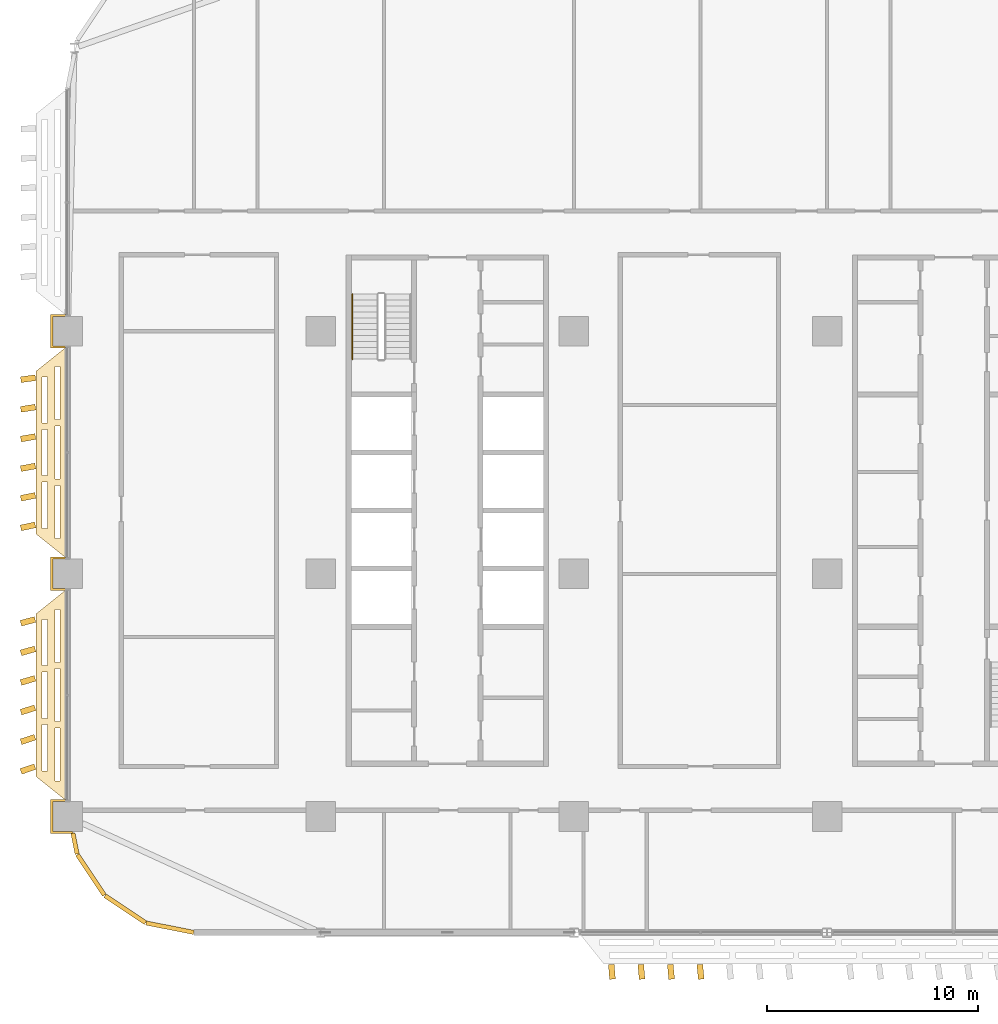
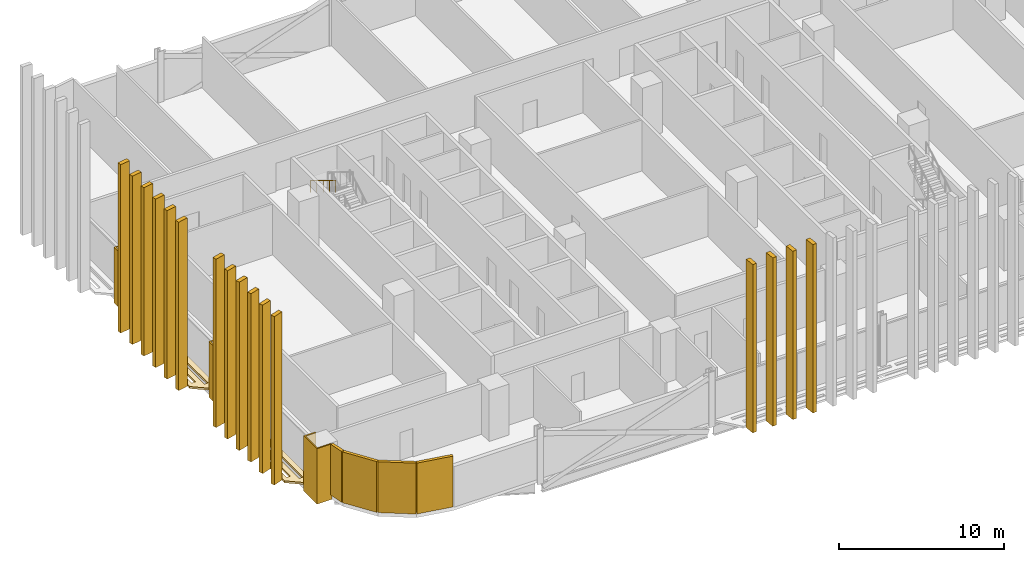
# One storey, part 23 of 31: 25 coverings, 1 railing.
"""IFC4 building model written with IfcOpenShell, lengths in metres."""

from ifc_helpers import new_model, si_unit, direction, frame, origin, origin_2d, place, context, subcontext, project, spatial, polyline, rectangle, circle, outline, extrude, material, layer, layer_set, type_object, element, save


model = new_model("IFC4")

# Units and contexts
model_context = context("Model", 3, precision=1e-05, world=origin(), true_north=direction((0.0, 1.0)))
body_context = subcontext(model_context, "Body", "Model", "MODEL_VIEW")
ifc_project = project(units=[si_unit("LENGTHUNIT", "METRE"), si_unit("AREAUNIT", "SQUARE_METRE"), si_unit("VOLUMEUNIT", "CUBIC_METRE"), si_unit("PLANEANGLEUNIT", "RADIAN"), si_unit("MASSUNIT", "GRAM", prefix="KILO")], contexts=[model_context])

# Site, building, storey
site_placement = place(None, origin())
site = spatial("IfcSite", under=ifc_project, at=site_placement, CompositionType="ELEMENT")
building_placement = place(site_placement, origin())
building = spatial("IfcBuilding", under=site, at=building_placement, Name="Mahtab Terrace Research Tower", CompositionType="ELEMENT")
storey_placement = place(building_placement, frame((0.0, 0.0, 101.199951171875)))
storey = spatial("IfcBuildingStorey", under=building, at=storey_placement, Name="L23", CompositionType="ELEMENT", Elevation=101.199951171875)

# Coverings
ifc_material_1 = material(Name="Black aluminium cladding panel", Category="aluminium")
ifc_layer_1 = layer(ifc_material_1, 0.199951171875)
ifc_layer_set_1 = layer_set([ifc_layer_1], Name="Black metal corner cladding 200")
covering_type_1 = type_object("IfcCoveringType", Name="Black metal corner cladding 200", PredefinedType="CLADDING", material=ifc_layer_set_1)
covering_1_placement = place(storey_placement, frame((-41.645263671875, -12.782470703125, 0.0), z_axis=(0.0, 0.0, 1.0), x_axis=(0.195212442692, -0.980760981187, 0.0)))
element("IfcCovering", 1, at=covering_1_placement, inside=storey, type_object=covering_type_1, Name="Corner cladding L23 19", PredefinedType="CLADDING", context=body_context, shape_type="SweptSolid", body=[
    extrude(rectangle(XDim=1.007568359375, YDim=0.199951171875, at=origin_2d()), origin(), (0.0, 0.0, 1.0), 3.760009765625),
])
for number, where, z_axis, x_axis, name in (
    (2, (-40.89306640625, -14.26953125, 0.0), (0.0, 0.0, 1.0), (0.555291490808, -0.831655794326, 0.0), "Corner cladding L23 20"),
    (3, (-39.26953125, -15.89306640625, 0.0), (0.0, 0.0, 1.0), (0.831655794326, -0.555291490808, 0.0), "Corner cladding L23 21"),
    (4, (-37.14794921875, -16.771484375, 0.0), (0.0, 0.0, 1.0), (0.980760981187, -0.195212442692, 0.0), "Corner cladding L23 22"),
):
    element("IfcCovering", number, at=place(storey_placement, frame(where, z_axis=z_axis, x_axis=x_axis)), inside=storey, type_object=covering_type_1, Name=name, PredefinedType="CLADDING", context=body_context, shape_type="SweptSolid", body=[
        extrude(rectangle(XDim=2.30126953125, YDim=0.199951171875, at=origin_2d()), origin(), (0.0, 0.0, 1.0), 3.760009765625),
    ])
ifc_material_2 = material(Name="Dark anodised aluminium cladding", Category="aluminium")
ifc_layer_2 = layer(ifc_material_2, 0.10009765625)
ifc_layer_set_2 = layer_set([ifc_layer_2], Name="Column casing 100")
covering_type_2 = type_object("IfcCoveringType", Name="Column casing 100", PredefinedType="CLADDING", material=ifc_layer_set_2)
covering_2_placement = place(storey_placement, frame((0.0, 0.0, -0.33984375)))
element("IfcCovering", 5, at=covering_2_placement, inside=storey, type_object=covering_type_2, Name="Column casing RC-1A L23", PredefinedType="CLADDING", context=body_context, shape_type="SweptSolid", body=[
    extrude(outline(polyline([(-42.800048828125, -10.699951171875), (-42.0, -10.699951171875), (-42.0, -10.800048828125), (-42.699951171875, -10.800048828125), (-42.699951171875, -12.199951171875), (-41.760986328125, -12.199951171875), (-41.740966796875, -12.300048828125), (-42.800048828125, -12.300048828125), (-42.800048828125, -10.699951171875)])), origin(), (0.0, 0.0, 1.0), 4.099853515625),
])
covering_3_placement = place(storey_placement, frame((0.0, 0.0, -0.33984375)))
element("IfcCovering", 6, at=covering_3_placement, inside=storey, type_object=covering_type_2, Name="Column casing RC-1B L23", PredefinedType="CLADDING", context=body_context, shape_type="SweptSolid", body=[
    extrude(outline(polyline([(-42.800048828125, 0.800048828125), (-42.0, 0.800048828125), (-42.0, 0.699951171875), (-42.699951171875, 0.699951171875), (-42.699951171875, -0.699951171875), (-42.0, -0.699951171875), (-42.0, -0.800048828125), (-42.800048828125, -0.800048828125), (-42.800048828125, 0.800048828125)])), origin(), (0.0, 0.0, 1.0), 4.099853515625),
])
covering_4_placement = place(storey_placement, frame((0.0, 0.0, -0.33984375)))
element("IfcCovering", 7, at=covering_4_placement, inside=storey, type_object=covering_type_2, Name="Column casing RC-1C L23", PredefinedType="CLADDING", context=body_context, shape_type="SweptSolid", body=[
    extrude(outline(polyline([(-42.800048828125, 12.300048828125), (-42.0, 12.300048828125), (-42.0, 12.199951171875), (-42.699951171875, 12.199951171875), (-42.699951171875, 10.800048828125), (-42.0, 10.800048828125), (-42.0, 10.699951171875), (-42.800048828125, 10.699951171875), (-42.800048828125, 12.300048828125)])), origin(), (0.0, 0.0, 1.0), 4.099853515625),
])
ifc_material_3 = material(Name="Black anodised aluminium", Category="aluminium")
ifc_layer_3 = layer(ifc_material_3, 0.14990234375)
ifc_layer_set_3 = layer_set([ifc_layer_3], Name="Horizontal sunshade band")
covering_type_3 = type_object("IfcCoveringType", Name="Horizontal sunshade band", PredefinedType="CLADDING", material=ifc_layer_set_3)
covering_5_placement = place(storey_placement, frame((0.0, 0.0, -0.14990234375)))
element("IfcCovering", 8, at=covering_5_placement, inside=storey, type_object=covering_type_3, Name="Sunshade band L23 17", PredefinedType="CLADDING", context=body_context, shape_type="SweptSolid", body=[
    extrude(outline(polyline([(-42.0, 10.800048828125), (-42.0, 0.699951171875), (-43.5, 1.89990234375), (-43.5, 9.60009765625), (-42.0, 10.800048828125)]), holes=[polyline([(-42.35009765625, 9.820068359375), (-42.35009765625, 7.306884765625), (-42.60009765625, 7.306884765625), (-42.60009765625, 9.820068359375), (-42.35009765625, 9.820068359375)]), polyline([(-42.35009765625, 7.007080078125), (-42.35009765625, 4.492919921875), (-42.60009765625, 4.492919921875), (-42.60009765625, 7.007080078125), (-42.35009765625, 7.007080078125)]), polyline([(-42.35009765625, 4.193115234375), (-42.35009765625, 1.679931640625), (-42.60009765625, 1.679931640625), (-42.60009765625, 4.193115234375), (-42.35009765625, 4.193115234375)]), polyline([(-42.949951171875, 9.340087890625), (-42.949951171875, 7.14697265625), (-43.199951171875, 7.14697265625), (-43.199951171875, 9.340087890625), (-42.949951171875, 9.340087890625)]), polyline([(-42.949951171875, 6.846923828125), (-42.949951171875, 4.653076171875), (-43.199951171875, 4.653076171875), (-43.199951171875, 6.846923828125), (-42.949951171875, 6.846923828125)]), polyline([(-42.949951171875, 4.35302734375), (-42.949951171875, 2.159912109375), (-43.199951171875, 2.159912109375), (-43.199951171875, 4.35302734375), (-42.949951171875, 4.35302734375)])]), origin(), (0.0, 0.0, 1.0), 0.14990234375),
])
covering_6_placement = place(storey_placement, frame((0.0, 0.0, -0.14990234375)))
element("IfcCovering", 9, at=covering_6_placement, inside=storey, type_object=covering_type_3, Name="Sunshade band L23 18", PredefinedType="CLADDING", context=body_context, shape_type="SweptSolid", body=[
    extrude(outline(polyline([(-42.0, -0.699951171875), (-42.0, -10.800048828125), (-43.5, -9.60009765625), (-43.5, -1.89990234375), (-42.0, -0.699951171875)]), holes=[polyline([(-42.35009765625, -1.679931640625), (-42.35009765625, -4.193115234375), (-42.60009765625, -4.193115234375), (-42.60009765625, -1.679931640625), (-42.35009765625, -1.679931640625)]), polyline([(-42.35009765625, -4.492919921875), (-42.35009765625, -7.007080078125), (-42.60009765625, -7.007080078125), (-42.60009765625, -4.492919921875), (-42.35009765625, -4.492919921875)]), polyline([(-42.35009765625, -7.306884765625), (-42.35009765625, -9.820068359375), (-42.60009765625, -9.820068359375), (-42.60009765625, -7.306884765625), (-42.35009765625, -7.306884765625)]), polyline([(-42.949951171875, -2.159912109375), (-42.949951171875, -4.35302734375), (-43.199951171875, -4.35302734375), (-43.199951171875, -2.159912109375), (-42.949951171875, -2.159912109375)]), polyline([(-42.949951171875, -4.653076171875), (-42.949951171875, -6.846923828125), (-43.199951171875, -6.846923828125), (-43.199951171875, -4.653076171875), (-42.949951171875, -4.653076171875)]), polyline([(-42.949951171875, -7.14697265625), (-42.949951171875, -9.340087890625), (-43.199951171875, -9.340087890625), (-43.199951171875, -7.14697265625), (-42.949951171875, -7.14697265625)])]), origin(), (0.0, 0.0, 1.0), 0.14990234375),
])

# Railing
ifc_material_4 = material(Name="Stainless steel AISI 304", Category="steel")
railing_type = type_object("IfcRailingType", Name="Stair handrail 900", PredefinedType="HANDRAIL", material=ifc_material_4)
railing_placement = place(storey_placement, frame((-28.5, 13.2548828125, 2.220947265625)))
element("IfcRailing", 10, at=railing_placement, inside=storey, type_object=railing_type, Name="L23 ST1 stair handrail 2", PredefinedType="HANDRAIL", context=body_context, shape_type="SweptSolid", body=[
    extrude(circle(Radius=0.02392578125, at=origin_2d()), frame((0.0, 0.0, 0.8759765625), z_axis=(0.0, -0.853647949592, 0.520850437417), x_axis=(1.0, 0.0, 0.0)), (0.0, 0.0, 1.0), 3.60791015625),
    extrude(circle(Radius=0.02099609375, at=origin_2d()), origin(), (0.0, 0.0, 1.0), 0.851806640625),
    extrude(circle(Radius=0.02099609375, at=origin_2d()), frame((0.0, -0.77001953125, 0.4697265625)), (0.0, 0.0, 1.0), 0.851806640625),
    extrude(circle(Radius=0.02099609375, at=origin_2d()), frame((0.0, -1.5400390625, 0.939453125)), (0.0, 0.0, 1.0), 0.851806640625),
    extrude(circle(Radius=0.02099609375, at=origin_2d()), frame((0.0, -2.309814453125, 1.409423828125)), (0.0, 0.0, 1.0), 0.851806640625),
    extrude(circle(Radius=0.02099609375, at=origin_2d()), frame((0.0, -3.079833984375, 1.879150390625)), (0.0, 0.0, 1.0), 0.851806640625),
])

# Coverings
ifc_material_5 = material(Name="Bronze anodised aluminium", Category="aluminium")
ifc_layer_4 = layer(ifc_material_5, 0.1201171875)
ifc_layer_set_4 = layer_set([ifc_layer_4], Name="Vertical fin 700")
covering_type_4 = type_object("IfcCoveringType", Name="Vertical fin 700", PredefinedType="CLADDING", material=ifc_layer_set_4)
for number, where, z_axis, x_axis, name in (
    (11, (-43.8662109375, 9.25, -0.14990234375), (0.0, 0.0, 1.0), (0.140697944584, -0.990052568498, 0.0), "Fin L23 W1"),
    (12, (-43.867431640625, 7.85009765625, -0.14990234375), (0.0, 0.0, 1.0), (0.154913243657, -0.987928077817, 0.0), "Fin L23 W2"),
    (13, (-43.86865234375, 6.449951171875, -0.14990234375), (0.0, 0.0, 1.0), (0.169096539483, -0.985599492865, 0.0), "Fin L23 W3"),
    (14, (-43.86962890625, 5.050048828125, -0.14990234375), (0.0, 0.0, 1.0), (0.183244901944, -0.983067294701, 0.0), "Fin L23 W4"),
    (15, (-43.870849609375, 3.64990234375, -0.14990234375), (0.0, 0.0, 1.0), (0.19735540819, -0.980332006444, 0.0), "Fin L23 W5"),
    (16, (-43.87158203125, 2.25, -0.14990234375), (0.0, 0.0, 1.0), (0.21142514314, -0.977394193173, 0.0), "Fin L23 W6"),
    (17, (-43.874267578125, -2.25, -0.14990234375), (0.0, 0.0, 1.0), (0.256338991477, -0.966586944588, 0.0), "Fin L23 W1"),
    (18, (-43.874755859375, -3.64990234375, -0.14990234375), (0.0, 0.0, 1.0), (0.270205078679, -0.962802791571, 0.0), "Fin L23 W2"),
    (19, (-43.875244140625, -5.050048828125, -0.14990234375), (0.0, 0.0, 1.0), (0.284015344704, -0.958819734868, 0.0), "Fin L23 W3"),
    (20, (-43.875732421875, -6.449951171875, -0.14990234375), (0.0, 0.0, 1.0), (0.297766936513, -0.954638597334, 0.0), "Fin L23 W4"),
    (21, (-43.876220703125, -7.85009765625, -0.14990234375), (0.0, 0.0, 1.0), (0.311457013191, -0.950260242741, 0.0), "Fin L23 W5"),
    (22, (-43.87646484375, -9.25, -0.14990234375), (0.0, 0.0, 1.0), (0.325082746511, -0.945685575612, 0.0), "Fin L23 W6"),
    (23, (-16.199951171875, -18.8603515625, -0.14990234375), (0.0, 0.0, 1.0), (0.996616925886, 0.082187000416, 0.0), "Fin L23 S1"),
    (24, (-14.800048828125, -18.86083984375, -0.14990234375), (0.0, 0.0, 1.0), (0.996121918106, 0.087983659104, 0.0), "Fin L23 S2"),
    (25, (-13.39990234375, -18.861572265625, -0.14990234375), (0.0, 0.0, 1.0), (0.995593195301, 0.093777339855, 0.0), "Fin L23 S3"),
    (26, (-12.0, -18.8623046875, -0.14990234375), (0.0, 0.0, 1.0), (0.995030775366, 0.099567846591, 0.0), "Fin L23 S4"),
):
    element("IfcCovering", number, at=place(storey_placement, frame(where, z_axis=z_axis, x_axis=x_axis)), inside=storey, type_object=covering_type_4, Name=name, PredefinedType="CLADDING", context=body_context, shape_type="SweptSolid", body=[
        extrude(rectangle(XDim=0.280029296875, YDim=0.699951171875, at=origin_2d()), origin(), (0.0, 0.0, 1.0), 12.449951171875),
    ])

save(model, "model.ifc")
